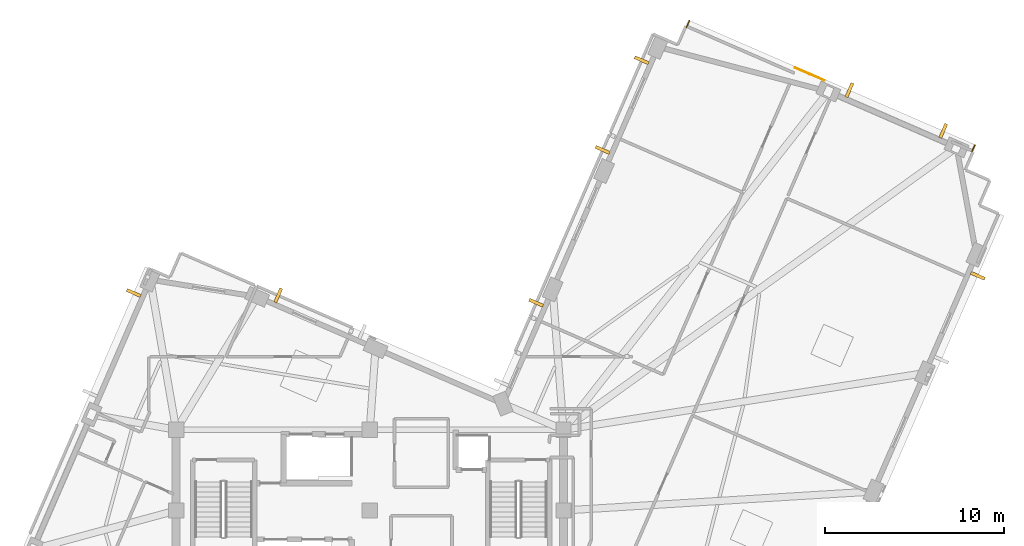
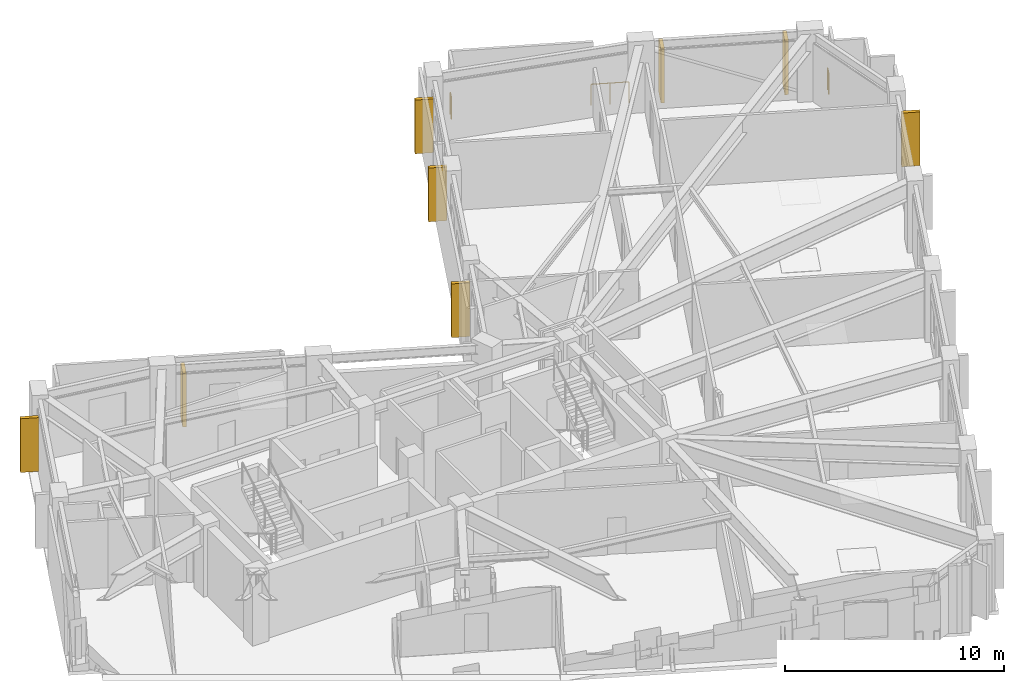
# One storey, part 12 of 12: 8 shading devices, 3 railings.
"""IFC4 building model written with IfcOpenShell, lengths in metres."""

from ifc_helpers import new_model, si_unit, direction, frame, origin, origin_2d, place, context, subcontext, project, spatial, rectangle, circle, extrude, material, layer, layer_set, type_object, element, save


model = new_model("IFC4")

# Units and contexts
model_context = context("Model", 3, precision=1e-05, world=origin(), true_north=direction((0.0, 1.0)))
body_context = subcontext(model_context, "Body", "Model", "MODEL_VIEW")
ifc_project = project(units=[si_unit("LENGTHUNIT", "METRE"), si_unit("AREAUNIT", "SQUARE_METRE"), si_unit("VOLUMEUNIT", "CUBIC_METRE"), si_unit("PLANEANGLEUNIT", "RADIAN"), si_unit("MASSUNIT", "GRAM", prefix="KILO")], contexts=[model_context])

# Site, building, storey
site_placement = place(None, origin())
site = spatial("IfcSite", under=ifc_project, at=site_placement, CompositionType="ELEMENT")
building_placement = place(site_placement, origin())
building = spatial("IfcBuilding", under=site, at=building_placement, Name="Gaonmaruhae Medical Tower", CompositionType="ELEMENT")
storey_placement = place(building_placement, frame((0.0, 0.0, 308.60009765625)))
storey = spatial("IfcBuildingStorey", under=building, at=storey_placement, Name="L74", CompositionType="ELEMENT", Elevation=308.60009765625)

# Railings
ifc_material_1 = material(Name="Stainless steel 316L and laminated safety glass", Category="steel")
ifc_layer = layer(ifc_material_1, 0.080078125)
ifc_layer_set = layer_set([ifc_layer], Name="Stainless steel 316L and laminated safety glass")
railing_type = type_object("IfcRailingType", Name="GD-120 Outdoor Terrace Safety Glass & Steel Balustrade", PredefinedType="BALUSTRADE", material=ifc_layer_set)
railing_1_placement = place(storey_placement, frame((42.467041015625, 39.249267578125, 0.0)))
element("IfcRailing", 1, at=railing_1_placement, inside=storey, type_object=railing_type, Name="L74 Perimeter Slab Edge Safety Balustrade 04", PredefinedType="BALUSTRADE", context=body_context, shape_type="SweptSolid", body=[
    extrude(circle(Radius=0.02392578125, at=origin_2d()), frame((0.0, 0.0, 1.17578125), z_axis=(0.398408401045, 0.917208125769, 0.0), x_axis=(-0.917208125769, 0.398408401045, 0.0)), (0.0, 0.0, 1.0), 0.393310546875),
    extrude(circle(Radius=0.02099609375, at=origin_2d()), origin(), (0.0, 0.0, 1.0), 1.15185546875),
    extrude(circle(Radius=0.02099609375, at=origin_2d()), frame((0.15673828125, 0.36083984375, 0.0)), (0.0, 0.0, 1.0), 1.15185546875),
])
railing_2_placement = place(storey_placement, frame((48.525634765625, 36.989501953125, 0.0)))
element("IfcRailing", 2, at=railing_2_placement, inside=storey, type_object=railing_type, Name="L74 Perimeter Slab Edge Safety Balustrade 05", PredefinedType="BALUSTRADE", context=body_context, shape_type="SweptSolid", body=[
    extrude(circle(Radius=0.02392578125, at=origin_2d()), frame((0.0, 0.0, 1.17578125), z_axis=(0.917074449051, -0.398716007828, 0.0), x_axis=(0.398716007828, 0.917074449051, 0.0)), (0.0, 0.0, 1.0), 1.76708984375),
    extrude(circle(Radius=0.02099609375, at=origin_2d()), origin(), (0.0, 0.0, 1.0), 1.15185546875),
    extrude(circle(Radius=0.02099609375, at=origin_2d()), frame((0.810302734375, -0.352294921875, 0.0)), (0.0, 0.0, 1.0), 1.15185546875),
    extrude(circle(Radius=0.02099609375, at=origin_2d()), frame((1.62060546875, -0.70458984375, 0.0)), (0.0, 0.0, 1.0), 1.15185546875),
])
railing_3_placement = place(storey_placement, frame((58.544189453125, 32.687744140625, 0.0)))
element("IfcRailing", 3, at=railing_3_placement, inside=storey, type_object=railing_type, Name="L74 Perimeter Slab Edge Safety Balustrade 06", PredefinedType="BALUSTRADE", context=body_context, shape_type="SweptSolid", body=[
    extrude(circle(Radius=0.02392578125, at=origin_2d()), frame((0.0, 0.0, 1.17578125), z_axis=(-0.399157351922, -0.916882439796, 0.0), x_axis=(0.916882439796, -0.399157351922, 0.0)), (0.0, 0.0, 1.0), 0.393310546875),
    extrude(circle(Radius=0.02099609375, at=origin_2d()), origin(), (0.0, 0.0, 1.0), 1.15185546875),
    extrude(circle(Radius=0.02099609375, at=origin_2d()), frame((-0.156982421875, -0.360595703125, 0.0)), (0.0, 0.0, 1.0), 1.15185546875),
])

# Shading devices
ifc_material_2 = material(Name="Pigmented coral precast concrete C45/55", Category="concrete")
shading_device_type = type_object("IfcShadingDeviceType", Name="SD-FIN1 Tower Vertical Coral Precast Shading Fin", PredefinedType="USERDEFINED", material=ifc_material_2)
for number, where, z_axis, x_axis, name in (
    (4, (58.712158203125, 25.3876953125, 0.13232421875), (0.0, 0.0, 1.0), (-0.398749068925, -0.917060074385, 0.0), "L74 Vertical Coral Precast Shading Fin S05"),
    (5, (51.55078125, 35.7451171875, 0.13232421875), (0.0, 0.0, 1.0), (0.917060074385, -0.398749068925, 0.0), "L74 Vertical Coral Precast Shading Fin E01"),
    (6, (56.782470703125, 33.47021484375, 0.13232421875), (0.0, 0.0, 1.0), (0.917060074385, -0.398749068925, 0.0), "L74 Vertical Coral Precast Shading Fin E01B"),
    (7, (37.786376953125, 32.4091796875, 0.13232421875), (0.0, 0.0, 1.0), (0.398765074582, 0.917053114761, 0.0), "L74 Vertical Coral Precast Shading Fin E03"),
    (8, (39.961669921875, 37.411865234375, 0.13232421875), (0.0, 0.0, 1.0), (0.398765074582, 0.917053114761, 0.0), "L74 Vertical Coral Precast Shading Fin E03B"),
    (9, (34.080078125, 23.885009765625, 0.13232421875), (0.0, 0.0, 1.0), (0.398749068925, 0.917060074385, 0.0), "L74 Vertical Coral Precast Shading Fin EN02B"),
    (10, (19.694091796875, 24.29833984375, 0.13232421875), (0.0, 0.0, 1.0), (0.917060074385, -0.398749068925, 0.0), "L74 Vertical Coral Precast Shading Fin NE01"),
    (11, (11.6357421875, 24.429931640625, 0.13232421875), (0.0, 0.0, 1.0), (0.398749068925, 0.917060074385, 0.0), "L74 Vertical Coral Precast Shading Fin N01B"),
):
    element("IfcShadingDevice", number, at=place(storey_placement, frame(where, z_axis=z_axis, x_axis=x_axis)), inside=storey, type_object=shading_device_type, Name=name, ObjectType="FIN", PredefinedType="USERDEFINED", context=body_context, shape_type="SweptSolid", body=[
        extrude(rectangle(XDim=0.179931640625, YDim=0.85009765625, at=origin_2d()), origin(), (0.0, 0.0, 1.0), 3.0),
    ])

save(model, "model.ifc")
